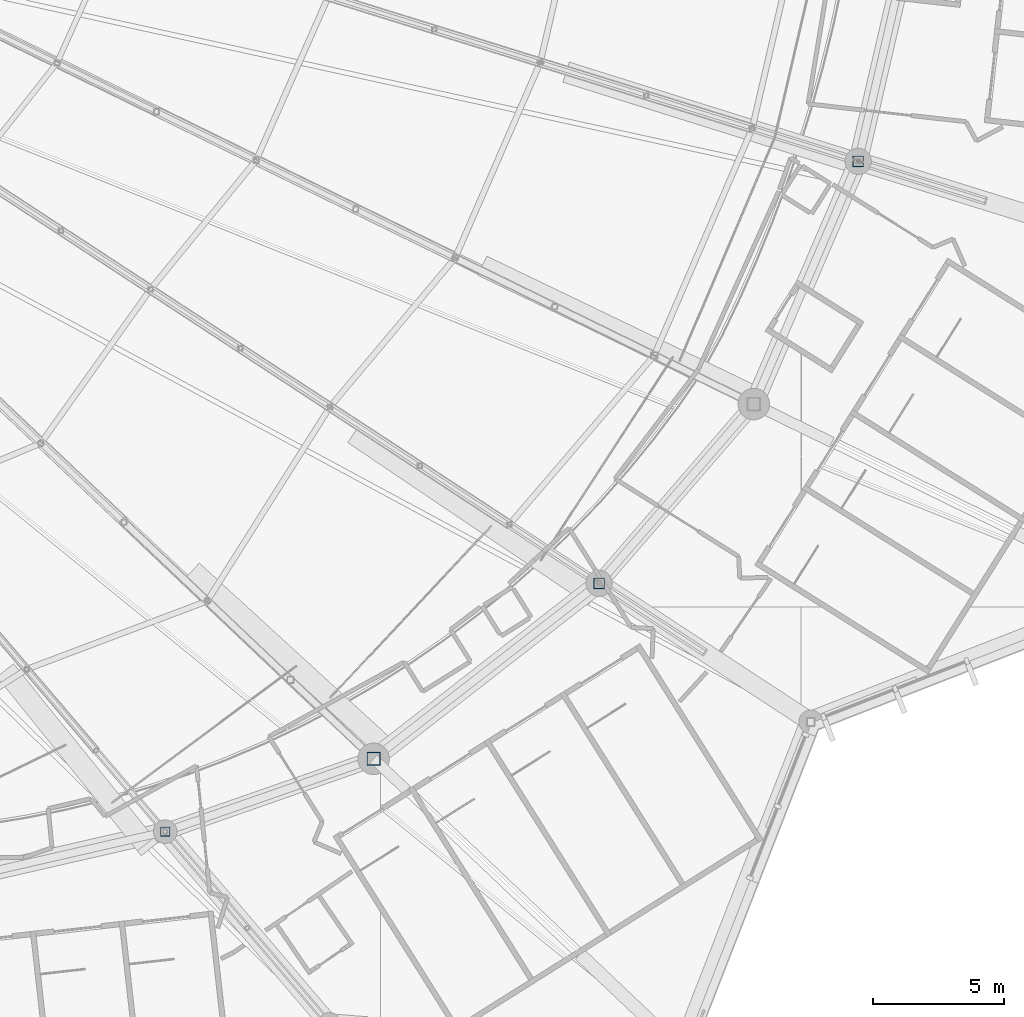
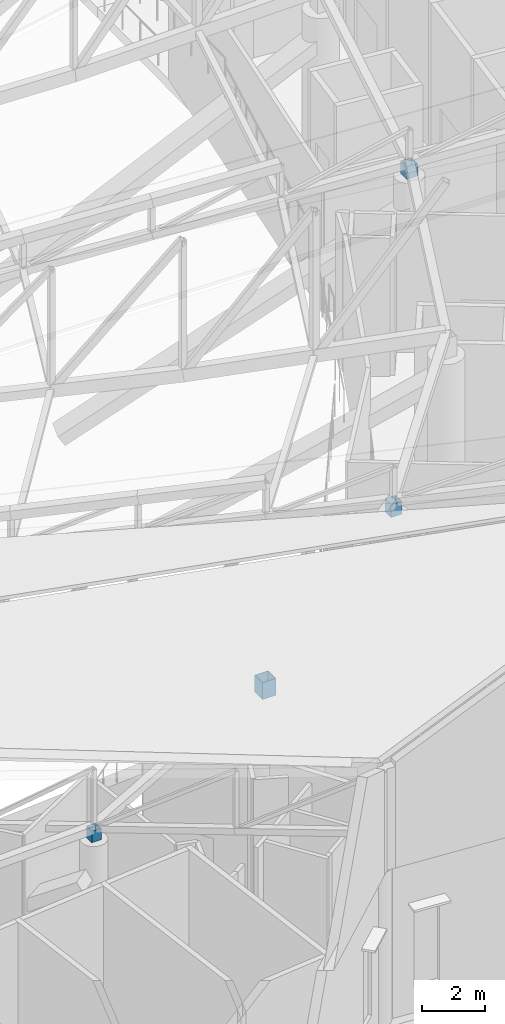
# One storey, part 214 of 344: 4 members.
"""IFC4 building model written with IfcOpenShell, lengths in metres."""

from ifc_helpers import new_model, si_unit, direction, frame, origin, origin_2d, place, context, subcontext, project, spatial, hollow_rectangle, extrude, material, material_profile, profile_set, type_object, element, save


model = new_model("IFC4")

# Units and contexts
model_context = context("Model", 3, precision=1e-05, world=origin(), true_north=direction((0.0, 1.0)))
body_context = subcontext(model_context, "Body", "Model", "MODEL_VIEW")
ifc_project = project(units=[si_unit("LENGTHUNIT", "METRE"), si_unit("AREAUNIT", "SQUARE_METRE"), si_unit("VOLUMEUNIT", "CUBIC_METRE"), si_unit("PLANEANGLEUNIT", "RADIAN"), si_unit("MASSUNIT", "GRAM", prefix="KILO")], contexts=[model_context])

# Site, building, storey
site_placement = place(None, origin())
site = spatial("IfcSite", under=ifc_project, at=site_placement, CompositionType="ELEMENT")
building_placement = place(site_placement, origin())
building = spatial("IfcBuilding", under=site, at=building_placement, Name="Meseta Stadium", CompositionType="ELEMENT")
storey_placement = place(building_placement, frame((0.0, 0.0, 24.0)))
storey = spatial("IfcBuildingStorey", under=building, at=storey_placement, Name="L04", CompositionType="ELEMENT", Elevation=24.0)

# Members
ifc_material_1 = material(Name="Steel S355", Category="steel")
ifc_material_profile_1 = material_profile(ifc_material_1, hollow_rectangle(XDim=0.35009765625, YDim=0.35009765625, WallThickness=0.010009765625, at=origin_2d()), Name="SHS 350x350x10")
ifc_profile_set_1 = profile_set([ifc_material_profile_1], Name="Steel S355")
member_type_1 = type_object("IfcMemberType", Name="SHS 350x350x10 pedestal", PredefinedType="POST", material=ifc_profile_set_1)
member_1_placement = place(storey_placement, frame((55.799560546875, -88.541748046875, 4.800048828125), z_axis=(0.0, 0.0, 1.0), x_axis=(1.0, 0.0, 0.0)))
element("IfcMember", 1, at=member_1_placement, inside=storey, type_object=member_type_1, Name="ROOF TRUSS RT-51 pedestal", PredefinedType="POST", context=body_context, shape_type="SweptSolid", body=[
    extrude(hollow_rectangle(XDim=0.35009765625, YDim=0.35009765625, WallThickness=0.010009765625, at=origin_2d()), origin(), (0.0, 0.0, 1.0), 0.445556640625),
])
ifc_material_2 = material(Name="Steel S355", Category="steel")
ifc_material_profile_2 = material_profile(ifc_material_2, hollow_rectangle(XDim=0.39990234375, YDim=0.39990234375, WallThickness=0.010009765625, at=origin_2d()), Name="SHS 400x400x10")
ifc_profile_set_2 = profile_set([ifc_material_profile_2], Name="Steel S355")
member_type_2 = type_object("IfcMemberType", Name="SHS 400x400x10 pedestal", PredefinedType="POST", material=ifc_profile_set_2)
member_2_placement = place(storey_placement, frame((72.31201171875, -79.091064453125, 6.0), z_axis=(0.0, 0.0, 1.0), x_axis=(1.0, 0.0, 0.0)))
element("IfcMember", 2, at=member_2_placement, inside=storey, type_object=member_type_2, Name="ROOF TRUSS RT-53 pedestal", PredefinedType="POST", context=body_context, shape_type="SweptSolid", body=[
    extrude(hollow_rectangle(XDim=0.39990234375, YDim=0.39990234375, WallThickness=0.010009765625, at=origin_2d()), origin(), (0.0, 0.0, 1.0), 0.501220703125),
])
member_3_placement = place(storey_placement, frame((82.169189453125, -63.03369140625, 6.0), z_axis=(0.0, 0.0, 1.0), x_axis=(1.0, 0.0, 0.0)))
element("IfcMember", 3, at=member_3_placement, inside=storey, type_object=member_type_2, Name="ROOF TRUSS RT-55 pedestal", PredefinedType="POST", context=body_context, shape_type="SweptSolid", body=[
    extrude(hollow_rectangle(XDim=0.39990234375, YDim=0.39990234375, WallThickness=0.010009765625, at=origin_2d()), origin(), (0.0, 0.0, 1.0), 0.495849609375),
])
ifc_material_3 = material(Name="Steel S355", Category="steel")
ifc_material_profile_3 = material_profile(ifc_material_3, hollow_rectangle(XDim=0.5, YDim=0.5, WallThickness=0.01611328125, at=origin_2d()), Name="SHS 500x500x16")
ifc_profile_set_3 = profile_set([ifc_material_profile_3], Name="Steel S355")
member_type_3 = type_object("IfcMemberType", Name="SHS 500x500x16 pedestal", PredefinedType="POST", material=ifc_profile_set_3)
member_4_placement = place(storey_placement, frame((63.731201171875, -85.77099609375, 6.0), z_axis=(0.0, 0.0, 1.0), x_axis=(1.0, 0.0, 0.0)))
element("IfcMember", 4, at=member_4_placement, inside=storey, type_object=member_type_3, Name="ROOF TRUSS RT-52 pedestal", PredefinedType="POST", context=body_context, shape_type="SweptSolid", body=[
    extrude(hollow_rectangle(XDim=0.5, YDim=0.5, WallThickness=0.01611328125, at=origin_2d()), origin(), (0.0, 0.0, 1.0), 0.657470703125),
])

save(model, "model.ifc")
